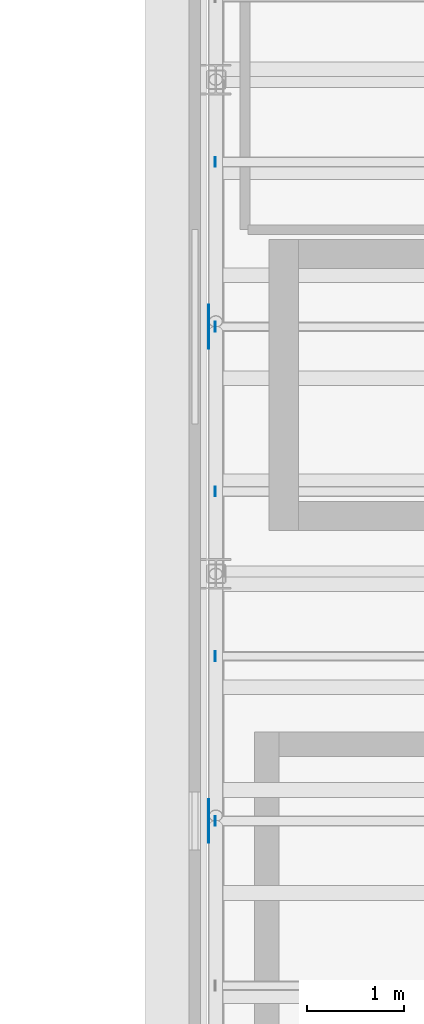
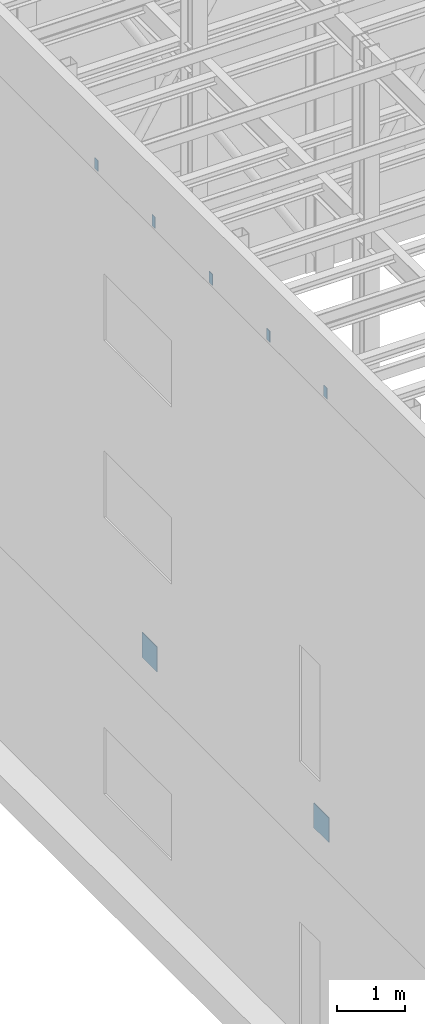
# One storey, part 9 of 22: 7 plates.
"""IFC4 building model written with IfcOpenShell, lengths in metres."""

from ifc_helpers import new_model, si_unit, direction, frame, origin, origin_2d, place, context, subcontext, project, spatial, rectangle, extrude, material, layer, layer_set, type_object, element, save


model = new_model("IFC4")

# Units and contexts
model_context = context("Model", 3, precision=1e-05, world=origin(), true_north=direction((0.0, 1.0)))
body_context = subcontext(model_context, "Body", "Model", "MODEL_VIEW")
ifc_project = project(units=[si_unit("LENGTHUNIT", "METRE"), si_unit("AREAUNIT", "SQUARE_METRE"), si_unit("VOLUMEUNIT", "CUBIC_METRE"), si_unit("PLANEANGLEUNIT", "RADIAN"), si_unit("MASSUNIT", "GRAM", prefix="KILO")], contexts=[model_context])

# Site, building, storey
site_placement = place(None, origin())
site = spatial("IfcSite", under=ifc_project, at=site_placement, CompositionType="ELEMENT")
building_placement = place(site_placement, origin())
building = spatial("IfcBuilding", under=site, at=building_placement, Name="Tide Square Theatres", CompositionType="ELEMENT")
storey_placement = place(building_placement, frame((0.0, 0.0, 24.0)))
storey = spatial("IfcBuildingStorey", under=building, at=storey_placement, Name="L05", CompositionType="ELEMENT", Elevation=24.0)

# Plates
ifc_material = material(Name="Steel ASTM A572 Grade 50", Category="steel")
ifc_layer = layer(ifc_material, 0.010009765625)
ifc_layer_set = layer_set([ifc_layer], Name="Steel ASTM A572 Grade 50")
plate_type = type_object("IfcPlateType", Name="Steel end plate 10 thick", PredefinedType="USERDEFINED", material=ifc_layer_set)
for number, where, z_axis, x_axis, name in (
    (1, (71.27099609375, 63.910400390625, 12.16015625), (0.0, 0.0, 1.0), (-1.0, 0.0, 0.0), "Tower roof purlin end plate"),
    (2, (71.27099609375, 65.60693359375, 12.16015625), (0.0, 0.0, 1.0), (-1.0, 0.0, 0.0), "Tower roof purlin end plate"),
    (3, (71.27099609375, 67.303466796875, 12.16015625), (0.0, 0.0, 1.0), (-1.0, 0.0, 0.0), "Tower roof purlin end plate"),
    (4, (71.27099609375, 69.0, 12.16015625), (0.0, 0.0, 1.0), (-1.0, 0.0, 0.0), "Tower roof purlin end plate"),
    (5, (71.27099609375, 70.696533203125, 12.16015625), (0.0, 0.0, 1.0), (-1.0, 0.0, 0.0), "Tower roof purlin end plate"),
):
    element("IfcPlate", number, at=place(storey_placement, frame(where, z_axis=z_axis, x_axis=x_axis)), inside=storey, type_object=plate_type, Name=name, ObjectType="END PLATE", PredefinedType="USERDEFINED", context=body_context, shape_type="SweptSolid", body=[
        extrude(rectangle(XDim=0.010009765625, YDim=0.10009765625, at=origin_2d()), origin(), (0.0, 0.0, 1.0), 0.199951171875),
    ])
for number, where, z_axis, x_axis, name in (
    (6, (71.202392578125, 63.910400390625, 4.27490234375), (0.0, 0.0, 1.0), (-1.0, 0.0, 0.0), "Fly tower brace crossing node plate"),
    (7, (71.202392578125, 69.0, 4.27490234375), (0.0, 0.0, 1.0), (-1.0, 0.0, 0.0), "Fly tower brace crossing node plate"),
):
    element("IfcPlate", number, at=place(storey_placement, frame(where, z_axis=z_axis, x_axis=x_axis)), inside=storey, type_object=plate_type, Name=name, ObjectType="END PLATE", PredefinedType="USERDEFINED", context=body_context, shape_type="SweptSolid", body=[
        extrude(rectangle(XDim=0.010009765625, YDim=0.449951171875, at=origin_2d()), origin(), (0.0, 0.0, 1.0), 0.449951171875),
    ])

save(model, "model.ifc")
